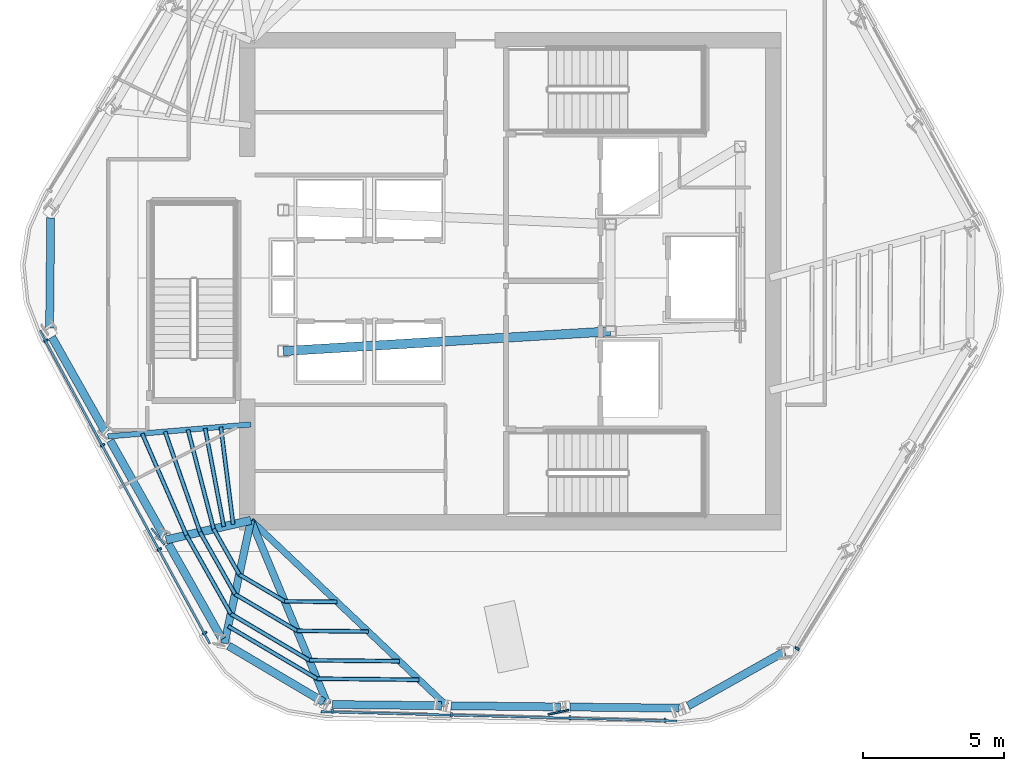
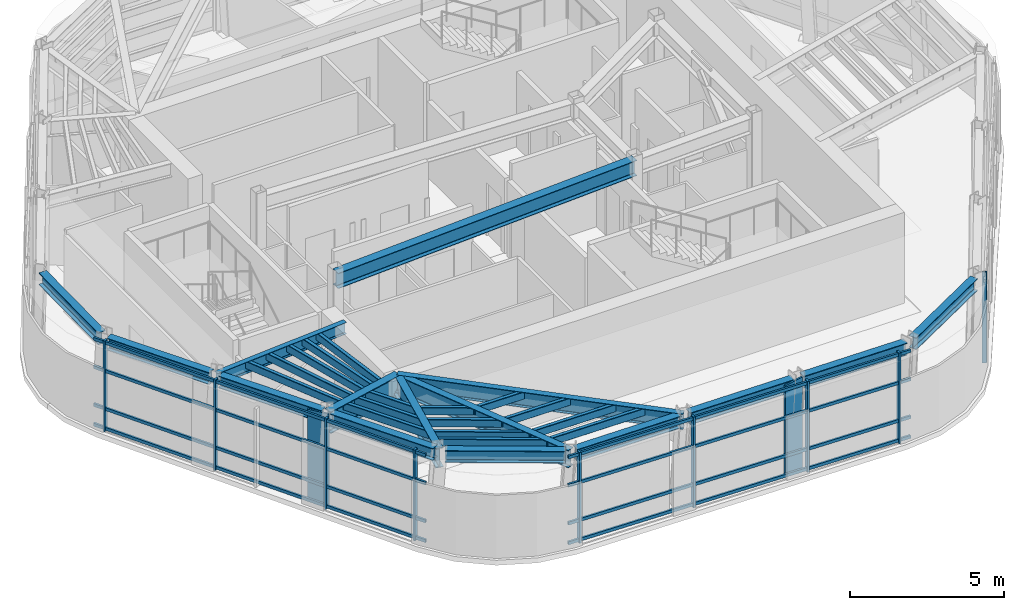
# One storey, part 2 of 13: 35 members, 15 beams, 3 elements without a shape of their own.
"""IFC4 building model written with IfcOpenShell, lengths in metres."""

from ifc_helpers import new_model, si_unit, direction, frame, origin, origin_2d, place, context, subcontext, project, spatial, rectangle, hollow_rectangle, i_section, extrude, material, layer, layer_set, material_profile, profile_set, type_object, element, aggregate, save


model = new_model("IFC4")

# Units and contexts
model_context = context("Model", 3, precision=1e-05, world=origin(), true_north=direction((0.0, 1.0)))
body_context = subcontext(model_context, "Body", "Model", "MODEL_VIEW")
ifc_project = project(units=[si_unit("LENGTHUNIT", "METRE"), si_unit("AREAUNIT", "SQUARE_METRE"), si_unit("VOLUMEUNIT", "CUBIC_METRE"), si_unit("PLANEANGLEUNIT", "RADIAN"), si_unit("MASSUNIT", "GRAM", prefix="KILO")], contexts=[model_context])

# Site, building, storey
site_placement = place(None, origin())
site = spatial("IfcSite", under=ifc_project, at=site_placement, CompositionType="ELEMENT")
building_placement = place(site_placement, origin())
building = spatial("IfcBuilding", under=site, at=building_placement, Name="Valkerne Bourse Tower", CompositionType="ELEMENT")
storey_placement = place(building_placement, frame((0.0, 0.0, 277.39990234375)))
storey = spatial("IfcBuildingStorey", under=building, at=storey_placement, Name="L70", CompositionType="ELEMENT", Elevation=277.39990234375)

# Beams
ifc_material_1 = material(Name="Steel ASTM A992", Category="steel")
ifc_material_profile_1 = material_profile(ifc_material_1, i_section(OverallWidth=0.284423828125, OverallDepth=0.47509765625, WebThickness=0.014892578125, FlangeThickness=0.02392578125, FilletRadius=0.017822265625, at=origin_2d()), Name="W18X106")
ifc_profile_set_1 = profile_set([ifc_material_profile_1], Name="Steel ASTM A992")
beam_type_1 = type_object("IfcBeamType", Name="BM-W18X106", PredefinedType="BEAM", material=ifc_profile_set_1)
beam_1_placement = place(storey_placement, frame((30.5, 29.128662109375, 3.362548828125), z_axis=(-0.010474546926, -0.999945140429, 0.0), x_axis=(0.999945140429, -0.010474546926, 0.0)))
element("IfcBeam", 1, at=beam_1_placement, inside=storey, type_object=beam_type_1, Name="L70 Hexagonal Spandrel Ring Beam 07", PredefinedType="BEAM", context=body_context, shape_type="SweptSolid", body=[
    extrude(i_section(OverallWidth=0.284423828125, OverallDepth=0.47509765625, WebThickness=0.014892578125, FlangeThickness=0.02392578125, FilletRadius=0.017822265625, at=origin_2d()), origin(), (0.0, 0.0, 1.0), 3.915771484375),
])
beam_2_placement = place(storey_placement, frame((30.54052734375, 24.89501953125, 3.362548828125), z_axis=(0.490928669095, -0.871199771499, 0.0), x_axis=(0.871199771499, 0.490928669095, 0.0)))
element("IfcBeam", 2, at=beam_2_placement, inside=storey, type_object=beam_type_1, Name="L70 Hexagonal Spandrel Ring Beam 08", PredefinedType="BEAM", context=body_context, shape_type="SweptSolid", body=[
    extrude(i_section(OverallWidth=0.284423828125, OverallDepth=0.47509765625, WebThickness=0.014892578125, FlangeThickness=0.02392578125, FilletRadius=0.017822265625, at=origin_2d()), origin(), (0.0, 0.0, 1.0), 3.8720703125),
])
for number, where, z_axis, x_axis, name in (
    (3, (32.6083984375, 21.2255859375, 3.362548828125), (0.490880810531, -0.871226738486, 0.0), (0.871226738486, 0.490880810531, 0.0), "L70 Hexagonal Spandrel Ring Beam 09"),
    (4, (34.676025390625, 17.555908203125, 3.362548828125), (0.490880810531, -0.871226738486, 0.0), (0.871226738486, 0.490880810531, 0.0), "L70 Hexagonal Spandrel Ring Beam 10"),
):
    element("IfcBeam", number, at=place(storey_placement, frame(where, z_axis=z_axis, x_axis=x_axis)), inside=storey, type_object=beam_type_1, Name=name, PredefinedType="BEAM", context=body_context, shape_type="SweptSolid", body=[
        extrude(i_section(OverallWidth=0.284423828125, OverallDepth=0.47509765625, WebThickness=0.014892578125, FlangeThickness=0.02392578125, FilletRadius=0.017822265625, at=origin_2d()), origin(), (0.0, 0.0, 1.0), 3.871826171875),
    ])
beam_3_placement = place(storey_placement, frame((36.806396484375, 13.947998046875, 3.362548828125), z_axis=(0.860737810344, -0.509048545666, 0.0), x_axis=(0.509048545666, 0.860737810344, 0.0)))
element("IfcBeam", 5, at=beam_3_placement, inside=storey, type_object=beam_type_1, Name="L70 Hexagonal Spandrel Ring Beam 11", PredefinedType="BEAM", context=body_context, shape_type="SweptSolid", body=[
    extrude(i_section(OverallWidth=0.284423828125, OverallDepth=0.47509765625, WebThickness=0.014892578125, FlangeThickness=0.02392578125, FilletRadius=0.017822265625, at=origin_2d()), origin(), (0.0, 0.0, 1.0), 3.916015625),
])
beam_4_placement = place(storey_placement, frame((40.4931640625, 11.866455078125, 3.362548828125), z_axis=(0.999945222918, -0.01046666921, 0.0), x_axis=(0.01046666921, 0.999945222918, 0.0)))
element("IfcBeam", 6, at=beam_4_placement, inside=storey, type_object=beam_type_1, Name="L70 Hexagonal Spandrel Ring Beam 12", PredefinedType="BEAM", context=body_context, shape_type="SweptSolid", body=[
    extrude(i_section(OverallWidth=0.284423828125, OverallDepth=0.47509765625, WebThickness=0.014892578125, FlangeThickness=0.02392578125, FilletRadius=0.017822265625, at=origin_2d()), origin(), (0.0, 0.0, 1.0), 3.8720703125),
])
beam_5_placement = place(storey_placement, frame((44.705078125, 11.822265625, 3.362548828125), z_axis=(0.999945216009, -0.010467329162, 0.0), x_axis=(0.010467329162, 0.999945216009, 0.0)))
element("IfcBeam", 7, at=beam_5_placement, inside=storey, type_object=beam_type_1, Name="L70 Hexagonal Spandrel Ring Beam 13", PredefinedType="BEAM", context=body_context, shape_type="SweptSolid", body=[
    extrude(i_section(OverallWidth=0.284423828125, OverallDepth=0.47509765625, WebThickness=0.014892578125, FlangeThickness=0.02392578125, FilletRadius=0.017822265625, at=origin_2d()), origin(), (0.0, 0.0, 1.0), 3.871826171875),
])
beam_6_placement = place(storey_placement, frame((48.916748046875, 11.7783203125, 3.362548828125), z_axis=(0.999945222918, -0.01046666921, 0.0), x_axis=(0.01046666921, 0.999945222918, 0.0)))
element("IfcBeam", 8, at=beam_6_placement, inside=storey, type_object=beam_type_1, Name="L70 Hexagonal Spandrel Ring Beam 14", PredefinedType="BEAM", context=body_context, shape_type="SweptSolid", body=[
    extrude(i_section(OverallWidth=0.284423828125, OverallDepth=0.47509765625, WebThickness=0.014892578125, FlangeThickness=0.02392578125, FilletRadius=0.017822265625, at=origin_2d()), origin(), (0.0, 0.0, 1.0), 3.8720703125),
])
beam_7_placement = place(storey_placement, frame((53.106689453125, 11.8193359375, 3.362548828125), z_axis=(0.871223967143, 0.490885729143, 0.0), x_axis=(-0.490885729143, 0.871223967143, 0.0)))
element("IfcBeam", 9, at=beam_7_placement, inside=storey, type_object=beam_type_1, Name="L70 Hexagonal Spandrel Ring Beam 15", PredefinedType="BEAM", context=body_context, shape_type="SweptSolid", body=[
    extrude(i_section(OverallWidth=0.284423828125, OverallDepth=0.47509765625, WebThickness=0.014892578125, FlangeThickness=0.02392578125, FilletRadius=0.017822265625, at=origin_2d()), origin(), (0.0, 0.0, 1.0), 3.91552734375),
])
ifc_material_profile_2 = material_profile(ifc_material_1, i_section(OverallWidth=0.1904296875, OverallDepth=0.457275390625, WebThickness=0.009033203125, FlangeThickness=0.014404296875, FilletRadius=0.01513671875, at=origin_2d()), Name="W18X50")
ifc_profile_set_2 = profile_set([ifc_material_profile_2], Name="Steel ASTM A992")
beam_type_2 = type_object("IfcBeamType", Name="BM-W18X50", PredefinedType="JOIST", material=ifc_profile_set_2)
beam_8_placement = place(storey_placement, frame((32.52490234375, 21.373779296875, 3.37158203125), z_axis=(0.99649132872, 0.083696067921, 0.0), x_axis=(-0.083696067921, 0.99649132872, 0.0)))
element("IfcBeam", 10, at=beam_8_placement, inside=storey, type_object=beam_type_2, Name="L70 Radial Composite Floor Beam 09", PredefinedType="JOIST", context=body_context, shape_type="SweptSolid", body=[
    extrude(i_section(OverallWidth=0.1904296875, OverallDepth=0.457275390625, WebThickness=0.009033203125, FlangeThickness=0.014404296875, FilletRadius=0.01513671875, at=origin_2d()), origin(), (0.0, 0.0, 1.0), 5.093017578125),
])
ifc_material_profile_3 = material_profile(ifc_material_1, i_section(OverallWidth=0.3251953125, OverallDepth=0.612060546875, WebThickness=0.0126953125, FlangeThickness=0.01904296875, FilletRadius=0.020263671875, at=origin_2d()), Name="W24X104")
ifc_profile_set_3 = profile_set([ifc_material_profile_3], Name="Steel ASTM A992")
beam_type_3 = type_object("IfcBeamType", Name="BM-W24X104", PredefinedType="BEAM", material=ifc_profile_set_3)
beam_9_placement = place(storey_placement, frame((38.75, 24.39990234375, 3.2939453125), z_axis=(0.998183228389, 0.060251494276, 0.0), x_axis=(-0.060251494276, 0.998183228389, 0.0)))
element("IfcBeam", 11, at=beam_9_placement, inside=storey, type_object=beam_type_3, Name="L70 Core Frame Girder CG-SW", PredefinedType="BEAM", context=body_context, shape_type="SweptSolid", body=[
    extrude(i_section(OverallWidth=0.3251953125, OverallDepth=0.612060546875, WebThickness=0.0126953125, FlangeThickness=0.01904296875, FilletRadius=0.020263671875, at=origin_2d()), origin(), (0.0, 0.0, 1.0), 11.62109375),
])
ifc_material_profile_4 = material_profile(ifc_material_1, i_section(OverallWidth=0.228271484375, OverallDepth=0.607177734375, WebThickness=0.01123046875, FlangeThickness=0.017333984375, FilletRadius=0.017822265625, at=origin_2d()), Name="W24X76")
ifc_profile_set_4 = profile_set([ifc_material_profile_4], Name="Steel ASTM A992")
beam_type_4 = type_object("IfcBeamType", Name="BM-W24X76", PredefinedType="JOIST", material=ifc_profile_set_4)
beam_10_placement = place(storey_placement, frame((44.534912109375, 11.82421875, 3.296630859375), z_axis=(-0.7256465023, 0.68806769558, 0.0), x_axis=(-0.68806769558, -0.7256465023, 0.0)))
element("IfcBeam", 12, at=beam_10_placement, inside=storey, type_object=beam_type_4, Name="L70 Radial Composite Floor Beam 13", PredefinedType="JOIST", context=body_context, shape_type="SweptSolid", body=[
    extrude(i_section(OverallWidth=0.228271484375, OverallDepth=0.607177734375, WebThickness=0.01123046875, FlangeThickness=0.017333984375, FilletRadius=0.017822265625, at=origin_2d()), origin(), (0.0, 0.0, 1.0), 9.556640625),
])
ifc_material_profile_5 = material_profile(ifc_material_1, i_section(OverallWidth=0.255859375, OverallDepth=0.693359375, WebThickness=0.014404296875, FlangeThickness=0.023681640625, FilletRadius=0.02294921875, at=origin_2d()), Name="W27X114")
ifc_profile_set_5 = profile_set([ifc_material_profile_5], Name="Steel ASTM A992")
beam_type_5 = type_object("IfcBeamType", Name="BM-W27X114", PredefinedType="BEAM", material=ifc_profile_set_5)
beam_11_placement = place(storey_placement, frame((40.3232421875, 11.8681640625, 3.25341796875), z_axis=(-0.384806450046, 0.922997289272, 0.0), x_axis=(-0.922997289272, -0.384806450046, 0.0)))
element("IfcBeam", 13, at=beam_11_placement, inside=storey, type_object=beam_type_5, Name="L70 Radial Composite Floor Beam 12", PredefinedType="BEAM", context=body_context, shape_type="SweptSolid", body=[
    extrude(i_section(OverallWidth=0.255859375, OverallDepth=0.693359375, WebThickness=0.014404296875, FlangeThickness=0.023681640625, FilletRadius=0.02294921875, at=origin_2d()), origin(), (0.0, 0.0, 1.0), 7.07666015625),
])
ifc_material_profile_6 = material_profile(ifc_material_1, i_section(OverallWidth=0.26806640625, OverallDepth=0.76953125, WebThickness=0.015625, FlangeThickness=0.025390625, FilletRadius=0.025390625, at=origin_2d()), Name="W30X132")
ifc_profile_set_6 = profile_set([ifc_material_profile_6], Name="Steel ASTM A992")
beam_type_6 = type_object("IfcBeamType", Name="BM-W30X132", PredefinedType="BEAM", material=ifc_profile_set_6)
beam_12_placement = place(storey_placement, frame((36.66015625, 14.034423828125, 3.21533203125), z_axis=(0.210488554285, 0.977596321861, 0.0), x_axis=(-0.977596321861, 0.210488554285, 0.0)))
element("IfcBeam", 14, at=beam_12_placement, inside=storey, type_object=beam_type_6, Name="L70 Radial Composite Floor Beam 11", PredefinedType="BEAM", context=body_context, shape_type="SweptSolid", body=[
    extrude(i_section(OverallWidth=0.26806640625, OverallDepth=0.76953125, WebThickness=0.015625, FlangeThickness=0.025390625, FilletRadius=0.025390625, at=origin_2d()), origin(), (0.0, 0.0, 1.0), 4.465576171875),
])
ifc_material_profile_7 = material_profile(ifc_material_1, i_section(OverallWidth=0.2919921875, OverallDepth=0.8583984375, WebThickness=0.01708984375, FlangeThickness=0.031005859375, FilletRadius=0.025390625, at=origin_2d()), Name="W33X169")
ifc_profile_set_7 = profile_set([ifc_material_profile_7], Name="Steel ASTM A992")
beam_type_7 = type_object("IfcBeamType", Name="BM-W33X169", PredefinedType="BEAM", material=ifc_profile_set_7)
beam_13_placement = place(storey_placement, frame((34.592529296875, 17.7041015625, 3.1708984375), z_axis=(0.974267086142, 0.225396638973, 0.0), x_axis=(-0.225396638973, 0.974267086142, 0.0)))
element("IfcBeam", 15, at=beam_13_placement, inside=storey, type_object=beam_type_7, Name="L70 Radial Composite Floor Beam 10", PredefinedType="BEAM", context=body_context, shape_type="SweptSolid", body=[
    extrude(i_section(OverallWidth=0.2919921875, OverallDepth=0.8583984375, WebThickness=0.01708984375, FlangeThickness=0.031005859375, FilletRadius=0.025390625, at=origin_2d()), origin(), (0.0, 0.0, 1.0), 3.0869140625),
])

# Curtain wall, members
ifc_material_2 = material(Name="Aluminium AA 6063-T6", Category="aluminium")
ifc_layer = layer(ifc_material_2, 0.2451171875)
ifc_layer_set = layer_set([ifc_layer], Name="Aluminium AA 6063-T6")
curtain_wall_type = type_object("IfcCurtainWallType", Name="CW-05", PredefinedType="NOTDEFINED", material=ifc_layer_set)
curtain_wall_1_placement = place(storey_placement, origin())
curtain_wall_1 = element("IfcCurtainWall", 16, at=curtain_wall_1_placement, inside=storey, type_object=curtain_wall_type, Name="L70 Hexagonal Stick Curtain Wall Face 3", PredefinedType="NOTDEFINED")
ifc_material_profile_8 = material_profile(ifc_material_2, rectangle(XDim=0.074951171875, YDim=0.159912109375, at=origin_2d()), Name="CWM-75X160")
ifc_profile_set_8 = profile_set([ifc_material_profile_8], Name="Aluminium AA 6063-T6")
member_type_1 = type_object("IfcMemberType", Name="CW-MUL-160X75", PredefinedType="MULLION", material=ifc_profile_set_8)
member_1_placement = place(storey_placement, frame((30.330078125, 24.768798828125, 0.0), z_axis=(0.0, 0.0, 1.0), x_axis=(0.477157876868, -0.878817592304, 0.0)))
member_1 = element("IfcMember", 17, at=member_1_placement, type_object=member_type_1, Name="CW-L70-F3 Jamb Mullion 00A", PredefinedType="MULLION", context=body_context, shape_type="SweptSolid", body=[
    extrude(rectangle(XDim=0.074951171875, YDim=0.159912109375, at=origin_2d()), origin(), (0.0, 0.0, 1.0), 3.60009765625),
])
member_2_placement = place(storey_placement, frame((32.33984375, 21.0673828125, 0.0), z_axis=(0.0, 0.0, 1.0), x_axis=(0.477157876868, -0.878817592304, 0.0)))
member_2 = element("IfcMember", 18, at=member_2_placement, type_object=member_type_1, Name="CW-L70-F3 Jamb Mullion 01A", PredefinedType="MULLION", context=body_context, shape_type="SweptSolid", body=[
    extrude(rectangle(XDim=0.074951171875, YDim=0.159912109375, at=origin_2d()), origin(), (0.0, 0.0, 1.0), 3.60009765625),
])
member_3_placement = place(storey_placement, frame((34.349609375, 17.36572265625, 0.0), z_axis=(0.0, 0.0, 1.0), x_axis=(0.477157876868, -0.878817592304, 0.0)))
member_3 = element("IfcMember", 19, at=member_3_placement, type_object=member_type_1, Name="CW-L70-F3 Jamb Mullion 02A", PredefinedType="MULLION", context=body_context, shape_type="SweptSolid", body=[
    extrude(rectangle(XDim=0.074951171875, YDim=0.159912109375, at=origin_2d()), origin(), (0.0, 0.0, 1.0), 3.60009765625),
])
member_4_placement = place(storey_placement, frame((35.95849609375, 14.40234375, 0.0), z_axis=(0.0, 0.0, 1.0), x_axis=(0.477157876868, -0.878817592304, 0.0)))
member_4 = element("IfcMember", 20, at=member_4_placement, type_object=member_type_1, Name="CW-L70-F3 Jamb Mullion 02B", PredefinedType="MULLION", context=body_context, shape_type="SweptSolid", body=[
    extrude(rectangle(XDim=0.074951171875, YDim=0.159912109375, at=origin_2d()), origin(), (0.0, 0.0, 1.0), 3.60009765625),
])

curtain_wall_2_placement = place(storey_placement, origin())
curtain_wall_2 = element("IfcCurtainWall", 21, at=curtain_wall_2_placement, inside=storey, type_object=curtain_wall_type, Name="L70 Hexagonal Stick Curtain Wall Face 4", PredefinedType="NOTDEFINED")
member_5_placement = place(storey_placement, frame((40.497314453125, 11.620849609375, 0.0), z_axis=(0.0, 0.0, 1.0), x_axis=(0.999657687956, -0.026163082979, 0.0)))
member_5 = element("IfcMember", 22, at=member_5_placement, type_object=member_type_1, Name="CW-L70-F4 Jamb Mullion 00A", PredefinedType="MULLION", context=body_context, shape_type="SweptSolid", body=[
    extrude(rectangle(XDim=0.074951171875, YDim=0.159912109375, at=origin_2d()), origin(), (0.0, 0.0, 1.0), 3.60009765625),
])
member_6_placement = place(storey_placement, frame((44.7080078125, 11.5107421875, 0.0), z_axis=(0.0, 0.0, 1.0), x_axis=(0.999657050456, -0.026187429674, 0.0)))
member_6 = element("IfcMember", 23, at=member_6_placement, type_object=member_type_1, Name="CW-L70-F4 Jamb Mullion 01A", PredefinedType="MULLION", context=body_context, shape_type="SweptSolid", body=[
    extrude(rectangle(XDim=0.074951171875, YDim=0.159912109375, at=origin_2d()), origin(), (0.0, 0.0, 1.0), 3.60009765625),
])
member_7_placement = place(storey_placement, frame((48.91845703125, 11.400390625, 0.0), z_axis=(0.0, 0.0, 1.0), x_axis=(0.999657687956, -0.026163082979, 0.0)))
member_7 = element("IfcMember", 24, at=member_7_placement, type_object=member_type_1, Name="CW-L70-F4 Jamb Mullion 02A", PredefinedType="MULLION", context=body_context, shape_type="SweptSolid", body=[
    extrude(rectangle(XDim=0.074951171875, YDim=0.159912109375, at=origin_2d()), origin(), (0.0, 0.0, 1.0), 3.60009765625),
])
member_8_placement = place(storey_placement, frame((52.289306640625, 11.312255859375, 0.0), z_axis=(0.0, 0.0, 1.0), x_axis=(0.999657687956, -0.026163082979, 0.0)))
member_8 = element("IfcMember", 25, at=member_8_placement, type_object=member_type_1, Name="CW-L70-F4 Jamb Mullion 02B", PredefinedType="MULLION", context=body_context, shape_type="SweptSolid", body=[
    extrude(rectangle(XDim=0.074951171875, YDim=0.159912109375, at=origin_2d()), origin(), (0.0, 0.0, 1.0), 3.60009765625),
])

# Curtain wall, member
curtain_wall_3_placement = place(storey_placement, origin())
curtain_wall_3 = element("IfcCurtainWall", 26, at=curtain_wall_3_placement, inside=storey, type_object=curtain_wall_type, Name="L70 Hexagonal Stick Curtain Wall Face 5", PredefinedType="NOTDEFINED")
member_9_placement = place(storey_placement, frame((56.96728515625, 13.852294921875, 0.0), z_axis=(0.0, 0.0, 1.0), x_axis=(0.522506940942, 0.852635031339, 0.0)))
member_9 = element("IfcMember", 27, at=member_9_placement, type_object=member_type_1, Name="CW-L70-F5 Jamb Mullion 00A", PredefinedType="MULLION", context=body_context, shape_type="SweptSolid", body=[
    extrude(rectangle(XDim=0.074951171875, YDim=0.159912109375, at=origin_2d()), origin(), (0.0, 0.0, 1.0), 3.60009765625),
])
aggregate(curtain_wall_3, [member_9])

# Member
ifc_material_profile_9 = material_profile(ifc_material_2, rectangle(XDim=0.074951171875, YDim=0.1201171875, at=origin_2d()), Name="CWT-75X120")
ifc_profile_set_9 = profile_set([ifc_material_profile_9], Name="Aluminium AA 6063-T6")
member_type_2 = type_object("IfcMemberType", Name="CW-TRN-120X75", PredefinedType="USERDEFINED", material=ifc_profile_set_9)
member_10_placement = place(storey_placement, frame((30.112060546875, 25.12841796875, 0.1201171875), z_axis=(0.477153686782, -0.878819867317, 0.0), x_axis=(0.878819867317, 0.477153686782, 0.0)))
member_10 = element("IfcMember", 28, at=member_10_placement, type_object=member_type_2, Name="CW-L70-F3 Continuous Face Transom 1", ObjectType="TRANSOM", PredefinedType="USERDEFINED", context=body_context, shape_type="SweptSolid", body=[
    extrude(rectangle(XDim=0.074951171875, YDim=0.1201171875, at=origin_2d()), origin(), (0.0, 0.0, 1.0), 12.635986328125),
])

member_11_placement = place(storey_placement, frame((30.112060546875, 25.12841796875, 0.900146484375), z_axis=(0.477153686782, -0.878819867317, 0.0), x_axis=(0.878819867317, 0.477153686782, 0.0)))
member_11 = element("IfcMember", 29, at=member_11_placement, type_object=member_type_2, Name="CW-L70-F3 Continuous Face Transom 2", ObjectType="TRANSOM", PredefinedType="USERDEFINED", context=body_context, shape_type="SweptSolid", body=[
    extrude(rectangle(XDim=0.074951171875, YDim=0.1201171875, at=origin_2d()), origin(), (0.0, 0.0, 1.0), 12.635986328125),
])

member_12_placement = place(storey_placement, frame((30.112060546875, 25.12841796875, 2.400146484375), z_axis=(0.477153686782, -0.878819867317, 0.0), x_axis=(0.878819867317, 0.477153686782, 0.0)))
member_12 = element("IfcMember", 30, at=member_12_placement, type_object=member_type_2, Name="CW-L70-F3 Continuous Face Transom 3", ObjectType="TRANSOM", PredefinedType="USERDEFINED", context=body_context, shape_type="SweptSolid", body=[
    extrude(rectangle(XDim=0.074951171875, YDim=0.1201171875, at=origin_2d()), origin(), (0.0, 0.0, 1.0), 12.635986328125),
])

member_13_placement = place(storey_placement, frame((30.112060546875, 25.12841796875, 3.52001953125), z_axis=(0.477153686782, -0.878819867317, 0.0), x_axis=(0.878819867317, 0.477153686782, 0.0)))
member_13 = element("IfcMember", 31, at=member_13_placement, type_object=member_type_2, Name="CW-L70-F3 Continuous Face Transom 4", ObjectType="TRANSOM", PredefinedType="USERDEFINED", context=body_context, shape_type="SweptSolid", body=[
    extrude(rectangle(XDim=0.074951171875, YDim=0.1201171875, at=origin_2d()), origin(), (0.0, 0.0, 1.0), 12.635986328125),
])

aggregate(curtain_wall_1, [member_10, member_11, member_12, member_13, member_1, member_2, member_3, member_4])

member_14_placement = place(storey_placement, frame((40.076904296875, 11.61181640625, 0.1201171875), z_axis=(0.999657746208, -0.026160857155, 0.0), x_axis=(0.026160857155, 0.999657746208, 0.0)))
member_14 = element("IfcMember", 32, at=member_14_placement, type_object=member_type_2, Name="CW-L70-F4 Continuous Face Transom 1", ObjectType="TRANSOM", PredefinedType="USERDEFINED", context=body_context, shape_type="SweptSolid", body=[
    extrude(rectangle(XDim=0.074951171875, YDim=0.1201171875, at=origin_2d()), origin(), (0.0, 0.0, 1.0), 12.635986328125),
])

member_15_placement = place(storey_placement, frame((40.076904296875, 11.61181640625, 0.900146484375), z_axis=(0.999657746208, -0.026160857155, 0.0), x_axis=(0.026160857155, 0.999657746208, 0.0)))
member_15 = element("IfcMember", 33, at=member_15_placement, type_object=member_type_2, Name="CW-L70-F4 Continuous Face Transom 2", ObjectType="TRANSOM", PredefinedType="USERDEFINED", context=body_context, shape_type="SweptSolid", body=[
    extrude(rectangle(XDim=0.074951171875, YDim=0.1201171875, at=origin_2d()), origin(), (0.0, 0.0, 1.0), 12.635986328125),
])

member_16_placement = place(storey_placement, frame((40.076904296875, 11.61181640625, 2.400146484375), z_axis=(0.999657746208, -0.026160857155, 0.0), x_axis=(0.026160857155, 0.999657746208, 0.0)))
member_16 = element("IfcMember", 34, at=member_16_placement, type_object=member_type_2, Name="CW-L70-F4 Continuous Face Transom 3", ObjectType="TRANSOM", PredefinedType="USERDEFINED", context=body_context, shape_type="SweptSolid", body=[
    extrude(rectangle(XDim=0.074951171875, YDim=0.1201171875, at=origin_2d()), origin(), (0.0, 0.0, 1.0), 12.635986328125),
])

member_17_placement = place(storey_placement, frame((40.076904296875, 11.61181640625, 3.52001953125), z_axis=(0.999657746208, -0.026160857155, 0.0), x_axis=(0.026160857155, 0.999657746208, 0.0)))
member_17 = element("IfcMember", 35, at=member_17_placement, type_object=member_type_2, Name="CW-L70-F4 Continuous Face Transom 4", ObjectType="TRANSOM", PredefinedType="USERDEFINED", context=body_context, shape_type="SweptSolid", body=[
    extrude(rectangle(XDim=0.074951171875, YDim=0.1201171875, at=origin_2d()), origin(), (0.0, 0.0, 1.0), 12.635986328125),
])

aggregate(curtain_wall_2, [member_14, member_15, member_16, member_17, member_5, member_6, member_7, member_8])

# Members
ifc_material_3 = material(Name="Bronze Anodised Aluminium AA 6063-T6", Category="aluminium")
ifc_material_profile_10 = material_profile(ifc_material_3, rectangle(XDim=0.06494140625, YDim=0.75, at=origin_2d()), Name="FIN-65X750")
ifc_profile_set_10 = profile_set([ifc_material_profile_10], Name="Bronze Anodised Aluminium AA 6063-T6")
member_type_3 = type_object("IfcMemberType", Name="FIN-SOLAR-650", PredefinedType="USERDEFINED", material=ifc_profile_set_10)
for number, where, z_axis, x_axis, name in (
    (36, (34.307373046875, 17.82080078125, 0.004150390625), (0.0, 0.0, 1.0), (-0.786537511671, -0.617542502776, 0.0), "L70 Bronze Anodised Solar Fin F3-02"),
    (37, (48.503173828125, 11.59130859375, 0.004150390625), (0.0, 0.0, 1.0), (0.209856249771, -0.977732250891, 0.0), "L70 Bronze Anodised Solar Fin F4-02"),
):
    element("IfcMember", number, at=place(storey_placement, frame(where, z_axis=z_axis, x_axis=x_axis)), inside=storey, type_object=member_type_3, Name=name, ObjectType="SOLAR_FIN", PredefinedType="USERDEFINED", context=body_context, shape_type="SweptSolid", body=[
        extrude(rectangle(XDim=0.06494140625, YDim=0.75, at=origin_2d()), origin(), (0.0, 0.0, 1.0), 3.592041015625),
    ])
ifc_material_4 = material(Name="Steel ASTM A500 Grade C", Category="steel")
ifc_material_profile_11 = material_profile(ifc_material_4, hollow_rectangle(XDim=0.14990234375, YDim=0.300048828125, WallThickness=0.012451171875, OuterFilletRadius=0.02490234375, at=origin_2d()), Name="HSS300X150X12.5")
ifc_profile_set_11 = profile_set([ifc_material_profile_11], Name="Steel ASTM A500 Grade C")
member_type_4 = type_object("IfcMemberType", Name="MBR-HSS300X150X12.5", PredefinedType="PURLIN", material=ifc_profile_set_11)
member_18_placement = place(storey_placement, frame((35.975830078125, 21.66357421875, 3.440185546875), z_axis=(0.18651455923, -0.982452196901, 0.0), x_axis=(0.982452196901, 0.18651455923, 0.0)))
element("IfcMember", 38, at=member_18_placement, inside=storey, type_object=member_type_4, Name="L70 Secondary Composite Floor Purlin I-09", PredefinedType="PURLIN", context=body_context, shape_type="SweptSolid", body=[
    extrude(hollow_rectangle(XDim=0.14990234375, YDim=0.300048828125, WallThickness=0.012451171875, OuterFilletRadius=0.02490234375, at=origin_2d()), origin(), (0.0, 0.0, 1.0), 3.548583984375),
])
member_19_placement = place(storey_placement, frame((35.366943359375, 21.6123046875, 3.440185546875), z_axis=(0.250304656013, -0.968167123579, 0.0), x_axis=(0.968167123579, 0.250304656013, 0.0)))
element("IfcMember", 39, at=member_19_placement, inside=storey, type_object=member_type_4, Name="L70 Secondary Composite Floor Purlin K-09", PredefinedType="PURLIN", context=body_context, shape_type="SweptSolid", body=[
    extrude(hollow_rectangle(XDim=0.14990234375, YDim=0.300048828125, WallThickness=0.012451171875, OuterFilletRadius=0.02490234375, at=origin_2d()), origin(), (0.0, 0.0, 1.0), 3.63427734375),
])
member_20_placement = place(storey_placement, frame((36.276611328125, 18.09375, 3.440185546875), z_axis=(0.490980343828, -0.871170650318, 0.0), x_axis=(0.871170650318, 0.490980343828, 0.0)))
element("IfcMember", 40, at=member_20_placement, inside=storey, type_object=member_type_4, Name="L70 Secondary Composite Floor Purlin K-10", PredefinedType="PURLIN", context=body_context, shape_type="SweptSolid", body=[
    extrude(hollow_rectangle(XDim=0.14990234375, YDim=0.300048828125, WallThickness=0.012451171875, OuterFilletRadius=0.02490234375, at=origin_2d()), origin(), (0.0, 0.0, 1.0), 1.853271484375),
])
member_21_placement = place(storey_placement, frame((37.1865234375, 16.479248046875, 3.440185546875), z_axis=(0.860674637002, -0.50915534881, 0.0), x_axis=(0.50915534881, 0.860674637002, 0.0)))
element("IfcMember", 41, at=member_21_placement, inside=storey, type_object=member_type_4, Name="L70 Secondary Composite Floor Purlin K-11", PredefinedType="PURLIN", context=body_context, shape_type="SweptSolid", body=[
    extrude(hollow_rectangle(XDim=0.14990234375, YDim=0.300048828125, WallThickness=0.012451171875, OuterFilletRadius=0.02490234375, at=origin_2d()), origin(), (0.0, 0.0, 1.0), 1.87255859375),
])
member_22_placement = place(storey_placement, frame((38.798095703125, 15.52587890625, 3.440185546875), z_axis=(0.999945850939, -0.010406497461, 0.0), x_axis=(0.010406497461, 0.999945850939, 0.0)))
element("IfcMember", 42, at=member_22_placement, inside=storey, type_object=member_type_4, Name="L70 Secondary Composite Floor Purlin K-12", PredefinedType="PURLIN", context=body_context, shape_type="SweptSolid", body=[
    extrude(hollow_rectangle(XDim=0.14990234375, YDim=0.300048828125, WallThickness=0.012451171875, OuterFilletRadius=0.02490234375, at=origin_2d()), origin(), (0.0, 0.0, 1.0), 1.853271484375),
])
member_23_placement = place(storey_placement, frame((33.742919921875, 21.47607421875, 3.440185546875), z_axis=(0.399561342068, -0.916706460065, 0.0), x_axis=(0.916706460065, 0.399561342068, 0.0)))
element("IfcMember", 43, at=member_23_placement, inside=storey, type_object=member_type_4, Name="L70 Secondary Composite Floor Purlin O-09", PredefinedType="PURLIN", context=body_context, shape_type="SweptSolid", body=[
    extrude(hollow_rectangle(XDim=0.14990234375, YDim=0.300048828125, WallThickness=0.012451171875, OuterFilletRadius=0.02490234375, at=origin_2d()), origin(), (0.0, 0.0, 1.0), 3.9326171875),
])
member_24_placement = place(storey_placement, frame((35.314208984375, 17.87109375, 3.440185546875), z_axis=(0.49093097749, -0.871198470695, 0.0), x_axis=(0.871198470695, 0.49093097749, 0.0)))
element("IfcMember", 44, at=member_24_placement, inside=storey, type_object=member_type_4, Name="L70 Secondary Composite Floor Purlin O-10", PredefinedType="PURLIN", context=body_context, shape_type="SweptSolid", body=[
    extrude(hollow_rectangle(XDim=0.14990234375, YDim=0.300048828125, WallThickness=0.012451171875, OuterFilletRadius=0.02490234375, at=origin_2d()), origin(), (0.0, 0.0, 1.0), 3.201171875),
])
member_25_placement = place(storey_placement, frame((36.8857421875, 15.082275390625, 3.440185546875), z_axis=(0.860732614278, -0.509057331465, 0.0), x_axis=(0.509057331465, 0.860732614278, 0.0)))
element("IfcMember", 45, at=member_25_placement, inside=storey, type_object=member_type_4, Name="L70 Secondary Composite Floor Purlin O-11", PredefinedType="PURLIN", context=body_context, shape_type="SweptSolid", body=[
    extrude(hollow_rectangle(XDim=0.14990234375, YDim=0.300048828125, WallThickness=0.012451171875, OuterFilletRadius=0.02490234375, at=origin_2d()), origin(), (0.0, 0.0, 1.0), 3.234375),
])
member_26_placement = place(storey_placement, frame((39.669677734375, 13.435791015625, 3.440185546875), z_axis=(0.999945411151, -0.010448670683, 0.0), x_axis=(0.010448670683, 0.999945411151, 0.0)))
element("IfcMember", 46, at=member_26_placement, inside=storey, type_object=member_type_4, Name="L70 Secondary Composite Floor Purlin O-12", PredefinedType="PURLIN", context=body_context, shape_type="SweptSolid", body=[
    extrude(hollow_rectangle(XDim=0.14990234375, YDim=0.300048828125, WallThickness=0.012451171875, OuterFilletRadius=0.02490234375, at=origin_2d()), origin(), (0.0, 0.0, 1.0), 3.201171875),
])
member_27_placement = place(storey_placement, frame((34.554931640625, 21.544189453125, 3.440185546875), z_axis=(0.328899707728, -0.944364856534, 0.0), x_axis=(0.944364856534, 0.328899707728, 0.0)))
element("IfcMember", 47, at=member_27_placement, inside=storey, type_object=member_type_4, Name="L70 Secondary Composite Floor Purlin Z-09", PredefinedType="PURLIN", context=body_context, shape_type="SweptSolid", body=[
    extrude(hollow_rectangle(XDim=0.14990234375, YDim=0.300048828125, WallThickness=0.012451171875, OuterFilletRadius=0.02490234375, at=origin_2d()), origin(), (0.0, 0.0, 1.0), 3.771484375),
])
member_28_placement = place(storey_placement, frame((35.79541015625, 17.982421875, 3.440185546875), z_axis=(0.490949078482, -0.871188270317, 0.0), x_axis=(0.871188270317, 0.490949078482, 0.0)))
element("IfcMember", 48, at=member_28_placement, inside=storey, type_object=member_type_4, Name="L70 Secondary Composite Floor Purlin Z-10", PredefinedType="PURLIN", context=body_context, shape_type="SweptSolid", body=[
    extrude(hollow_rectangle(XDim=0.14990234375, YDim=0.300048828125, WallThickness=0.012451171875, OuterFilletRadius=0.02490234375, at=origin_2d()), origin(), (0.0, 0.0, 1.0), 2.527099609375),
])
member_29_placement = place(storey_placement, frame((37.0361328125, 15.78076171875, 3.440185546875), z_axis=(0.860732305658, -0.509057853291, 0.0), x_axis=(0.509057853291, 0.860732305658, 0.0)))
element("IfcMember", 49, at=member_29_placement, inside=storey, type_object=member_type_4, Name="L70 Secondary Composite Floor Purlin Z-11", PredefinedType="PURLIN", context=body_context, shape_type="SweptSolid", body=[
    extrude(hollow_rectangle(XDim=0.14990234375, YDim=0.300048828125, WallThickness=0.012451171875, OuterFilletRadius=0.02490234375, at=origin_2d()), origin(), (0.0, 0.0, 1.0), 2.553466796875),
])
member_30_placement = place(storey_placement, frame((39.23388671875, 14.48095703125, 3.440185546875), z_axis=(0.999945572619, -0.010433206632, 0.0), x_axis=(0.010433206632, 0.999945572619, 0.0)))
element("IfcMember", 50, at=member_30_placement, inside=storey, type_object=member_type_4, Name="L70 Secondary Composite Floor Purlin Z-12", PredefinedType="PURLIN", context=body_context, shape_type="SweptSolid", body=[
    extrude(hollow_rectangle(XDim=0.14990234375, YDim=0.300048828125, WallThickness=0.012451171875, OuterFilletRadius=0.02490234375, at=origin_2d()), origin(), (0.0, 0.0, 1.0), 2.52734375),
])
member_31_placement = place(storey_placement, frame((36.5341796875, 21.71044921875, 3.440185546875), z_axis=(0.124672979382, -0.992197887627, 0.0), x_axis=(0.992197887627, 0.124672979382, 0.0)))
element("IfcMember", 51, at=member_31_placement, inside=storey, type_object=member_type_4, Name="L70 Secondary Composite Floor Purlin S-09", PredefinedType="PURLIN", context=body_context, shape_type="SweptSolid", body=[
    extrude(hollow_rectangle(XDim=0.14990234375, YDim=0.300048828125, WallThickness=0.012451171875, OuterFilletRadius=0.02490234375, at=origin_2d()), origin(), (0.0, 0.0, 1.0), 3.483642578125),
])
member_32_placement = place(storey_placement, frame((36.791748046875, 14.645751953125, 3.440185546875), z_axis=(0.860736559134, -0.5090506613, 0.0), x_axis=(0.5090506613, 0.860736559134, 0.0)))
element("IfcMember", 52, at=member_32_placement, inside=storey, type_object=member_type_4, Name="L70 Secondary Composite Floor Purlin T-11", PredefinedType="PURLIN", context=body_context, shape_type="SweptSolid", body=[
    extrude(hollow_rectangle(XDim=0.14990234375, YDim=0.300048828125, WallThickness=0.012451171875, OuterFilletRadius=0.02490234375, at=origin_2d()), origin(), (0.0, 0.0, 1.0), 3.659912109375),
])
member_33_placement = place(storey_placement, frame((39.94189453125, 12.78271484375, 3.440185546875), z_axis=(0.999944729804, -0.010513673778, 0.0), x_axis=(0.010513673778, 0.999944729804, 0.0)))
element("IfcMember", 53, at=member_33_placement, inside=storey, type_object=member_type_4, Name="L70 Secondary Composite Floor Purlin T-12", PredefinedType="PURLIN", context=body_context, shape_type="SweptSolid", body=[
    extrude(hollow_rectangle(XDim=0.14990234375, YDim=0.300048828125, WallThickness=0.012451171875, OuterFilletRadius=0.02490234375, at=origin_2d()), origin(), (0.0, 0.0, 1.0), 3.62255859375),
])

save(model, "model.ifc")
